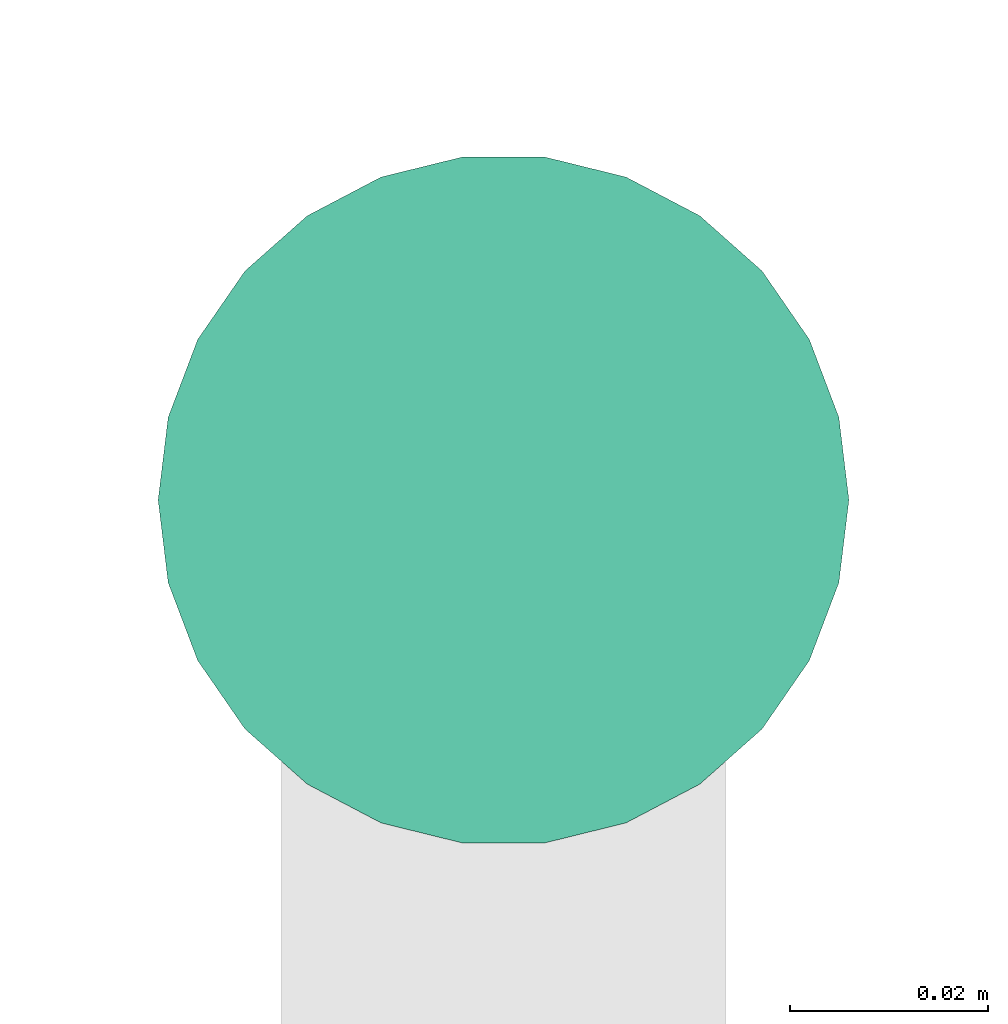
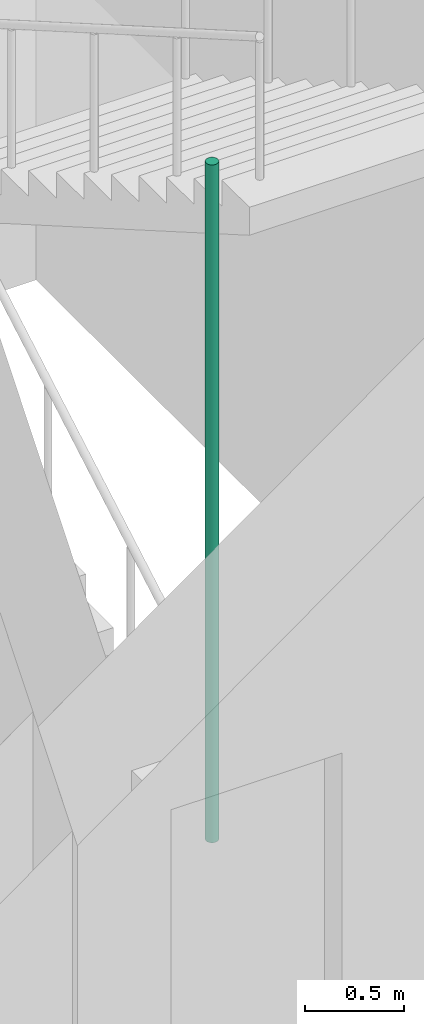
# One storey, part 35 of 38: 1 pipe segment.
"""IFC4 building model written with IfcOpenShell, lengths in metres."""

from ifc_helpers import new_model, si_unit, direction, frame, origin, origin_2d, place, context, subcontext, project, spatial, circle, extrude, element, save


model = new_model("IFC4")

# Units and contexts
model_context = context("Model", 3, precision=1e-05, world=origin(), true_north=direction((0.0, 1.0)))
body_context = subcontext(model_context, "Body", "Model", "MODEL_VIEW")
ifc_project = project(units=[si_unit("LENGTHUNIT", "METRE"), si_unit("AREAUNIT", "SQUARE_METRE"), si_unit("VOLUMEUNIT", "CUBIC_METRE"), si_unit("PLANEANGLEUNIT", "RADIAN"), si_unit("MASSUNIT", "GRAM", prefix="KILO")], contexts=[model_context])

# Site, building, storey
site_placement = place(None, origin())
site = spatial("IfcSite", under=ifc_project, at=site_placement, CompositionType="ELEMENT")
building_placement = place(site_placement, origin())
building = spatial("IfcBuilding", under=site, at=building_placement, Name="Nzadi Deep Aquarium and Research Tower", CompositionType="ELEMENT")
storey_placement = place(building_placement, frame((0.0, 0.0, 65.5)))
storey = spatial("IfcBuildingStorey", under=building, at=storey_placement, Name="L13", CompositionType="ELEMENT", Elevation=65.5)

# Pipe segment
pipe_segment_placement = place(storey_placement, frame((25.10009765625, 13.719970703125, 0.0), z_axis=(0.0, 0.0, 1.0), x_axis=(1.0, 0.0, 0.0)))
element("IfcPipeSegment", 1, at=pipe_segment_placement, inside=storey, Name="Dry riser ST-Z1-SE L13", PredefinedType="RIGIDSEGMENT", context=body_context, shape_type="SweptSolid", body=[
    extrude(circle(Radius=0.034912109375, at=origin_2d()), origin(), (0.0, 0.0, 1.0), 4.199951171875),
])

save(model, "model.ifc")
